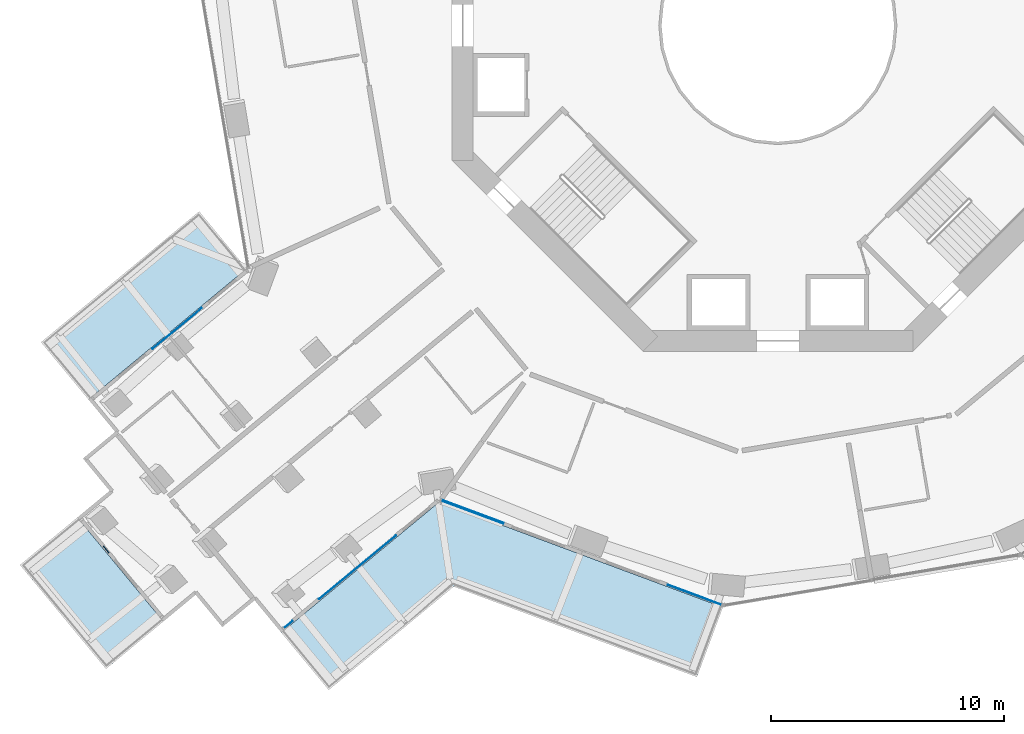
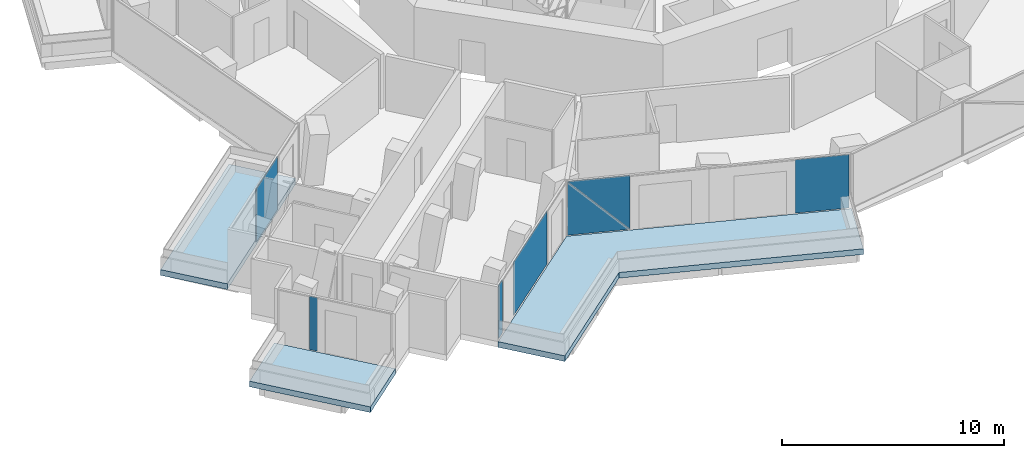
# One storey, part 13 of 27: 7 plates, 3 slabs, 4 elements without a shape of their own.
"""IFC4 building model written with IfcOpenShell, lengths in metres."""

from ifc_helpers import new_model, si_unit, direction, frame, origin, origin_2d, place, context, subcontext, project, spatial, polyline, rectangle, outline, extrude, material, layer, layer_set, type_object, element, aggregate, save


model = new_model("IFC4")

# Units and contexts
model_context = context("Model", 3, precision=1e-05, world=origin(), true_north=direction((0.0, 1.0)))
body_context = subcontext(model_context, "Body", "Model", "MODEL_VIEW")
ifc_project = project(units=[si_unit("LENGTHUNIT", "METRE"), si_unit("AREAUNIT", "SQUARE_METRE"), si_unit("VOLUMEUNIT", "CUBIC_METRE"), si_unit("PLANEANGLEUNIT", "RADIAN"), si_unit("MASSUNIT", "GRAM", prefix="KILO")], contexts=[model_context])

# Site, building, storey
site_placement = place(None, origin())
site = spatial("IfcSite", under=ifc_project, at=site_placement, CompositionType="ELEMENT")
building_placement = place(site_placement, origin())
building = spatial("IfcBuilding", under=site, at=building_placement, Name="Verdalira Terraces Hotel", CompositionType="ELEMENT")
storey_placement = place(building_placement, frame((0.0, 0.0, 71.5)))
storey = spatial("IfcBuildingStorey", under=building, at=storey_placement, Name="L16", CompositionType="ELEMENT", Elevation=71.5)

# Slabs
ifc_material_1 = material(Name="Precast concrete C40/50", Category="concrete")
ifc_layer_1 = layer(ifc_material_1, 0.31005859375)
ifc_layer_set_1 = layer_set([ifc_layer_1], Name="Balcony deck 310")
slab_type = type_object("IfcSlabType", Name="Balcony deck 310", PredefinedType="FLOOR", material=ifc_layer_set_1)
slab_1_placement = place(storey_placement, frame((0.0, 0.0, -0.310059)))
element("IfcSlab", 1, at=slab_1_placement, inside=storey, type_object=slab_type, Name="Balcony deck", PredefinedType="FLOOR", context=body_context, shape_type="SweptSolid", body=[
    extrude(outline(polyline([(-31.670166, -13.61084), (-29.630371, -16.076416), (-22.834717, -10.45459), (-24.874268, -7.98877), (-31.670166, -13.61084)])), origin(), (0.0, 0.0, 1.0), 0.310059),
])
slab_2_placement = place(storey_placement, frame((0.0, 0.0, -0.310059)))
element("IfcSlab", 2, at=slab_2_placement, inside=storey, type_object=slab_type, Name="Balcony deck", PredefinedType="FLOOR", context=body_context, shape_type="SweptSolid", body=[
    extrude(outline(polyline([(-28.878174, -27.653809), (-26.412354, -25.614014), (-30.109619, -21.14502), (-32.575195, -23.184814), (-28.878174, -27.653809)])), origin(), (0.0, 0.0, 1.0), 0.310059),
])
slab_3_placement = place(storey_placement, frame((0.0, 0.0, -0.310059)))
element("IfcSlab", 3, at=slab_3_placement, inside=storey, type_object=slab_type, Name="Balcony deck", PredefinedType="FLOOR", context=body_context, shape_type="SweptSolid", body=[
    extrude(outline(polyline([(-3.47876, -28.001953), (-2.363525, -25.002686), (-14.548096, -20.471191), (-21.343994, -26.093018), (-19.304199, -28.558838), (-13.931885, -24.114502), (-3.47876, -28.001953)])), origin(), (0.0, 0.0, 1.0), 0.310059),
])

# Curtain wall, plates
ifc_material_2 = material(Name="Clear glass", Category="glass")
ifc_layer_2 = layer(ifc_material_2, 0.14990234375)
ifc_layer_set_2 = layer_set([ifc_layer_2], Name="CW1 curtain wall")
curtain_wall_type_1 = type_object("IfcCurtainWallType", Name="CW1 curtain wall", PredefinedType="NOTDEFINED", material=ifc_layer_set_2)
curtain_wall_1_placement = place(storey_placement, origin())
curtain_wall_1 = element("IfcCurtainWall", 4, at=curtain_wall_1_placement, inside=storey, type_object=curtain_wall_type_1, Name="CW1 curtain wall L16 edge 25", PredefinedType="NOTDEFINED")
ifc_material_3 = material(Name="Clear glass", Category="glass")
ifc_layer_3 = layer(ifc_material_3, 0.028076171875)
ifc_layer_set_3 = layer_set([ifc_layer_3], Name="CW1 glass unit 28")
plate_type_1 = type_object("IfcPlateType", Name="CW1 glass unit 28", PredefinedType="CURTAIN_PANEL", material=ifc_layer_set_3)
plate_1_placement = place(storey_placement, frame((-13.129883, -20.903564, 1.467529), z_axis=(-0.348572047, -0.937281989, 0.0), x_axis=(0.937281989, -0.348572047, 0.0)))
plate_1 = element("IfcPlate", 5, at=plate_1_placement, type_object=plate_type_1, Name="CW1 glass unit", PredefinedType="CURTAIN_PANEL", context=body_context, shape_type="SweptSolid", body=[
    extrude(outline(polyline([(-1.419922, -1.467529), (1.419922, -1.467529), (-1.419922, 1.467529), (-1.419922, -1.467529)])), origin(), (0.0, 0.0, 1.0), 0.028076),
])
plate_2_placement = place(storey_placement, frame((-13.119629, -20.876465, 1.467529), z_axis=(-0.348572047, -0.937281989, 0.0), x_axis=(0.937281989, -0.348572047, 0.0)))
plate_2 = element("IfcPlate", 6, at=plate_2_placement, type_object=plate_type_1, Name="CW1 glass unit", PredefinedType="CURTAIN_PANEL", context=body_context, shape_type="SweptSolid", body=[
    extrude(outline(polyline([(1.419922, -1.467529), (1.419922, 1.467529), (-1.419922, 1.467529), (1.419922, -1.467529)])), origin(), (0.0, 0.0, 1.0), 0.028076),
])
plate_3_placement = place(storey_placement, frame((-3.584473, -24.468506, 0.0), z_axis=(0.0, 0.0, 1.0), x_axis=(0.937281989, -0.348572047, 0.0)))
plate_3 = element("IfcPlate", 7, at=plate_3_placement, type_object=plate_type_1, Name="CW1 glass unit", PredefinedType="CURTAIN_PANEL", context=body_context, shape_type="SweptSolid", body=[
    extrude(rectangle(XDim=2.460693, YDim=0.028076, at=origin_2d()), origin(), (0.0, 0.0, 1.0), 2.935059),
])
aggregate(curtain_wall_1, [plate_1, plate_2, plate_3])

# Curtain wall, plate
ifc_material_4 = material(Name="Clear glass", Category="glass")
ifc_layer_4 = layer(ifc_material_4, 0.14990234375)
ifc_layer_set_4 = layer_set([ifc_layer_4], Name="CW2 curtain wall")
curtain_wall_type_2 = type_object("IfcCurtainWallType", Name="CW2 curtain wall", PredefinedType="NOTDEFINED", material=ifc_layer_set_4)
curtain_wall_2_placement = place(storey_placement, origin())
curtain_wall_2 = element("IfcCurtainWall", 8, at=curtain_wall_2_placement, inside=storey, type_object=curtain_wall_type_2, Name="CW2 curtain wall L16 edge 14", PredefinedType="NOTDEFINED")
ifc_material_5 = material(Name="Clear glass", Category="glass")
ifc_layer_5 = layer(ifc_material_5, 0.031982421875)
ifc_layer_set_5 = layer_set([ifc_layer_5], Name="CW2 glass unit 32")
plate_type_2 = type_object("IfcPlateType", Name="CW2 glass unit 32", PredefinedType="CURTAIN_PANEL", material=ifc_layer_set_5)
plate_4_placement = place(storey_placement, frame((-25.818604, -13.020264, 0.0), z_axis=(0.0, 0.0, 1.0), x_axis=(-0.770513243, -0.63742399, 0.0)))
plate_4 = element("IfcPlate", 9, at=plate_4_placement, type_object=plate_type_2, Name="CW2 glass unit", PredefinedType="CURTAIN_PANEL", context=body_context, shape_type="SweptSolid", body=[
    extrude(rectangle(XDim=2.736084, YDim=0.031982, at=origin_2d()), origin(), (0.0, 0.0, 1.0), 2.935059),
])
aggregate(curtain_wall_2, [plate_4])

# Curtain wall, plates
curtain_wall_3_placement = place(storey_placement, origin())
curtain_wall_3 = element("IfcCurtainWall", 10, at=curtain_wall_3_placement, inside=storey, type_object=curtain_wall_type_2, Name="CW2 curtain wall L16 edge 24", PredefinedType="NOTDEFINED")
plate_5_placement = place(storey_placement, frame((-21.037354, -25.742188, 0.0), z_axis=(0.0, 0.0, 1.0), x_axis=(0.770513243, 0.63742399, 0.0)))
plate_5 = element("IfcPlate", 11, at=plate_5_placement, type_object=plate_type_2, Name="CW2 glass unit", PredefinedType="CURTAIN_PANEL", context=body_context, shape_type="SweptSolid", body=[
    extrude(rectangle(XDim=0.47998, YDim=0.031982, at=origin_2d()), origin(), (0.0, 0.0, 1.0), 2.935059),
])
plate_6_placement = place(storey_placement, frame((-18.07251, -23.289551, 0.0), z_axis=(0.0, 0.0, 1.0), x_axis=(0.770513243, 0.63742399, 0.0)))
plate_6 = element("IfcPlate", 12, at=plate_6_placement, type_object=plate_type_2, Name="CW2 glass unit", PredefinedType="CURTAIN_PANEL", context=body_context, shape_type="SweptSolid", body=[
    extrude(rectangle(XDim=4.28418, YDim=0.031982, at=origin_2d()), origin(), (0.0, 0.0, 1.0), 2.935059),
])
aggregate(curtain_wall_3, [plate_5, plate_6])

# Curtain wall, plate
ifc_material_6 = material(Name="Clear glass", Category="glass")
ifc_layer_6 = layer(ifc_material_6, 0.14990234375)
ifc_layer_set_6 = layer_set([ifc_layer_6], Name="CW3 curtain wall")
curtain_wall_type_3 = type_object("IfcCurtainWallType", Name="CW3 curtain wall", PredefinedType="NOTDEFINED", material=ifc_layer_set_6)
curtain_wall_4_placement = place(storey_placement, origin())
curtain_wall_4 = element("IfcCurtainWall", 13, at=curtain_wall_4_placement, inside=storey, type_object=curtain_wall_type_3, Name="CW3 curtain wall L16 edge 19", PredefinedType="NOTDEFINED")
ifc_material_7 = material(Name="Clear glass", Category="glass")
ifc_layer_7 = layer(ifc_material_7, 0.035888671875)
ifc_layer_set_7 = layer_set([ifc_layer_7], Name="CW3 glass unit 36")
plate_type_3 = type_object("IfcPlateType", Name="CW3 glass unit 36", PredefinedType="CURTAIN_PANEL", material=ifc_layer_set_7)
plate_7_placement = place(storey_placement, frame((-28.87207, -22.523193, 0.0), z_axis=(0.0, 0.0, 1.0), x_axis=(0.63742399, -0.770513243, 0.0)))
plate_7 = element("IfcPlate", 14, at=plate_7_placement, type_object=plate_type_3, Name="CW3 glass unit", PredefinedType="CURTAIN_PANEL", context=body_context, shape_type="SweptSolid", body=[
    extrude(rectangle(XDim=0.378906, YDim=0.035889, at=origin_2d()), origin(), (0.0, 0.0, 1.0), 2.935059),
])
aggregate(curtain_wall_4, [plate_7])

save(model, "model.ifc")
